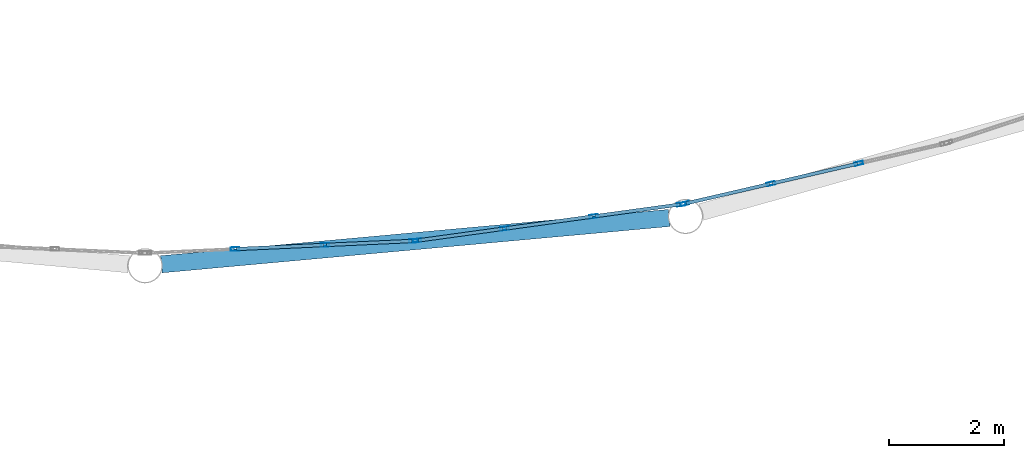
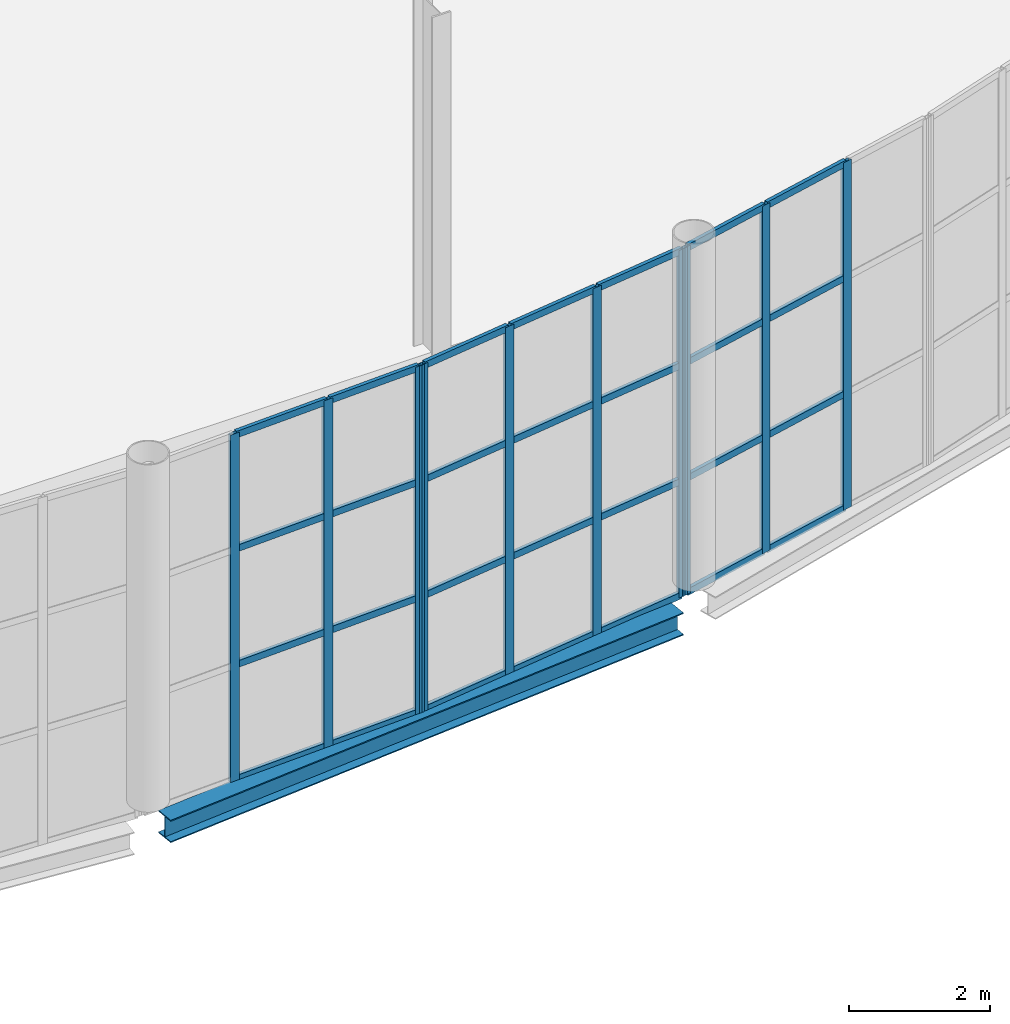
# One storey, part 43 of 191: 38 members, 1 beam, 3 elements without a shape of their own.
"""IFC4 building model written with IfcOpenShell, lengths in metres."""

from ifc_helpers import new_model, si_unit, direction, frame, origin, origin_2d, place, context, subcontext, project, spatial, hollow_rectangle, i_section, extrude, material, layer, layer_set, material_profile, profile_set, type_object, element, aggregate, save


model = new_model("IFC4")

# Units and contexts
model_context = context("Model", 3, precision=1e-05, world=origin(), true_north=direction((0.0, 1.0)))
body_context = subcontext(model_context, "Body", "Model", "MODEL_VIEW")
ifc_project = project(units=[si_unit("LENGTHUNIT", "METRE"), si_unit("AREAUNIT", "SQUARE_METRE"), si_unit("VOLUMEUNIT", "CUBIC_METRE"), si_unit("PLANEANGLEUNIT", "RADIAN"), si_unit("MASSUNIT", "GRAM", prefix="KILO")], contexts=[model_context])

# Site, building, storey
site_placement = place(None, origin())
site = spatial("IfcSite", under=ifc_project, at=site_placement, CompositionType="ELEMENT")
building_placement = place(site_placement, origin())
building = spatial("IfcBuilding", under=site, at=building_placement, Name="Tamarisk Ironworks Central Station", CompositionType="ELEMENT")
storey_placement = place(building_placement, frame((0.0, 0.0, 6.60009765625)))
storey = spatial("IfcBuildingStorey", under=building, at=storey_placement, Name="L01", CompositionType="ELEMENT", Elevation=6.60009765625)

# Beam
ifc_material_1 = material(Name="Structural steel S355J2", Category="steel")
ifc_material_profile_1 = material_profile(ifc_material_1, i_section(OverallWidth=0.300048828125, OverallDepth=0.389892578125, WebThickness=0.010986328125, FlangeThickness=0.01904296875, at=origin_2d()), Name="HEA 400")
ifc_profile_set_1 = profile_set([ifc_material_profile_1], Name="Structural steel S355J2")
beam_type = type_object("IfcBeamType", Name="BM-G07", PredefinedType="BEAM", material=ifc_profile_set_1)
beam_placement = place(storey_placement, frame((81.28369140625, 3.266845703125, -0.5751953125), z_axis=(0.995863406654, 0.090862947823, 0.0), x_axis=(-0.090862947823, 0.995863406654, 0.0)))
element("IfcBeam", 1, at=beam_placement, inside=storey, type_object=beam_type, Name="SN rounded nose L01 chord girder 007", PredefinedType="BEAM", context=body_context, shape_type="SweptSolid", body=[
    extrude(i_section(OverallWidth=0.300048828125, OverallDepth=0.389892578125, WebThickness=0.010986328125, FlangeThickness=0.01904296875, at=origin_2d()), origin(), (0.0, 0.0, 1.0), 8.880126953125),
])

# Curtain wall, members
ifc_material_2 = material(Name="Anodized aluminium alloy 6063-T6", Category="aluminium")
ifc_layer = layer(ifc_material_2, 0.179931640625)
ifc_layer_set = layer_set([ifc_layer], Name="Anodized aluminium alloy 6063-T6")
curtain_wall_type = type_object("IfcCurtainWallType", Name="CW-02", PredefinedType="USERDEFINED", material=ifc_layer_set)
curtain_wall_1_placement = place(storey_placement, origin())
curtain_wall_1 = element("IfcCurtainWall", 2, at=curtain_wall_1_placement, inside=storey, type_object=curtain_wall_type, Name="SN rounded entrance hall L01 curtain wall bay 07", ObjectType="GLAZED CURTAIN WALL", PredefinedType="USERDEFINED")
ifc_material_profile_2 = material_profile(ifc_material_2, hollow_rectangle(XDim=0.06005859375, YDim=0.14990234375, WallThickness=0.00341796875, at=origin_2d()), Name="ALUM 150x60")
ifc_profile_set_2 = profile_set([ifc_material_profile_2], Name="Anodized aluminium alloy 6063-T6")
member_type_1 = type_object("IfcMemberType", Name="CWM-03", PredefinedType="MULLION", material=ifc_profile_set_2)
member_1_placement = place(storey_placement, frame((82.568359375, 3.532470703125, -0.385009765625), z_axis=(0.0, 0.0, 1.0), x_axis=(-0.045480859558, 0.998965210312, 0.0)))
member_1 = element("IfcMember", 3, at=member_1_placement, type_object=member_type_1, Name="CW02 mullion 2", PredefinedType="MULLION", context=body_context, shape_type="SweptSolid", body=[
    extrude(hollow_rectangle(XDim=0.06005859375, YDim=0.14990234375, WallThickness=0.00341796875, at=origin_2d()), origin(), (0.0, 0.0, 1.0), 6.0048828125),
])
member_2_placement = place(storey_placement, frame((84.136474609375, 3.603759765625, -0.385009765625), z_axis=(0.0, 0.0, 1.0), x_axis=(-0.045480859558, 0.998965210312, 0.0)))
member_2 = element("IfcMember", 4, at=member_2_placement, type_object=member_type_1, Name="CW02 mullion 3", PredefinedType="MULLION", context=body_context, shape_type="SweptSolid", body=[
    extrude(hollow_rectangle(XDim=0.06005859375, YDim=0.14990234375, WallThickness=0.00341796875, at=origin_2d()), origin(), (0.0, 0.0, 1.0), 6.0048828125),
])
member_3_placement = place(storey_placement, frame((85.6748046875, 3.673828125, -0.385009765625), z_axis=(0.0, 0.0, 1.0), x_axis=(-0.045480859558, 0.998965210312, 0.0)))
member_3 = element("IfcMember", 5, at=member_3_placement, type_object=member_type_1, Name="CW02 mullion 4", PredefinedType="MULLION", context=body_context, shape_type="SweptSolid", body=[
    extrude(hollow_rectangle(XDim=0.06005859375, YDim=0.14990234375, WallThickness=0.00341796875, at=origin_2d()), origin(), (0.0, 0.0, 1.0), 6.0048828125),
])

curtain_wall_2_placement = place(storey_placement, origin())
curtain_wall_2 = element("IfcCurtainWall", 6, at=curtain_wall_2_placement, inside=storey, type_object=curtain_wall_type, Name="SN rounded entrance hall L01 curtain wall bay 08", ObjectType="GLAZED CURTAIN WALL", PredefinedType="USERDEFINED")
member_4_placement = place(storey_placement, frame((85.734619140625, 3.67919921875, -0.385009765625), z_axis=(0.0, 0.0, 1.0), x_axis=(-0.136041725218, 0.990703108403, 0.0)))
member_4 = element("IfcMember", 7, at=member_4_placement, type_object=member_type_1, Name="CW02 mullion 1", PredefinedType="MULLION", context=body_context, shape_type="SweptSolid", body=[
    extrude(hollow_rectangle(XDim=0.06005859375, YDim=0.14990234375, WallThickness=0.00341796875, at=origin_2d()), origin(), (0.0, 0.0, 1.0), 6.0048828125),
])
member_5_placement = place(storey_placement, frame((87.260009765625, 3.888671875, -0.385009765625), z_axis=(0.0, 0.0, 1.0), x_axis=(-0.136041725218, 0.990703108403, 0.0)))
member_5 = element("IfcMember", 8, at=member_5_placement, type_object=member_type_1, Name="CW02 mullion 2", PredefinedType="MULLION", context=body_context, shape_type="SweptSolid", body=[
    extrude(hollow_rectangle(XDim=0.06005859375, YDim=0.14990234375, WallThickness=0.00341796875, at=origin_2d()), origin(), (0.0, 0.0, 1.0), 6.0048828125),
])
member_6_placement = place(storey_placement, frame((88.8154296875, 4.102294921875, -0.385009765625), z_axis=(0.0, 0.0, 1.0), x_axis=(-0.136041725218, 0.990703108403, 0.0)))
member_6 = element("IfcMember", 9, at=member_6_placement, type_object=member_type_1, Name="CW02 mullion 3", PredefinedType="MULLION", context=body_context, shape_type="SweptSolid", body=[
    extrude(hollow_rectangle(XDim=0.06005859375, YDim=0.14990234375, WallThickness=0.00341796875, at=origin_2d()), origin(), (0.0, 0.0, 1.0), 6.0048828125),
])
member_7_placement = place(storey_placement, frame((90.3408203125, 4.311767578125, -0.385009765625), z_axis=(0.0, 0.0, 1.0), x_axis=(-0.136041725218, 0.990703108403, 0.0)))
member_7 = element("IfcMember", 10, at=member_7_placement, type_object=member_type_1, Name="CW02 mullion 4", PredefinedType="MULLION", context=body_context, shape_type="SweptSolid", body=[
    extrude(hollow_rectangle(XDim=0.06005859375, YDim=0.14990234375, WallThickness=0.00341796875, at=origin_2d()), origin(), (0.0, 0.0, 1.0), 6.0048828125),
])

curtain_wall_3_placement = place(storey_placement, origin())
curtain_wall_3 = element("IfcCurtainWall", 11, at=curtain_wall_3_placement, inside=storey, type_object=curtain_wall_type, Name="SN rounded entrance hall L01 curtain wall bay 09", ObjectType="GLAZED CURTAIN WALL", PredefinedType="USERDEFINED")
member_8_placement = place(storey_placement, frame((90.39990234375, 4.32275390625, -0.385009765625), z_axis=(0.0, 0.0, 1.0), x_axis=(-0.225516966506, 0.974239240545, 0.0)))
member_8 = element("IfcMember", 12, at=member_8_placement, type_object=member_type_1, Name="CW02 mullion 1", PredefinedType="MULLION", context=body_context, shape_type="SweptSolid", body=[
    extrude(hollow_rectangle(XDim=0.06005859375, YDim=0.14990234375, WallThickness=0.00341796875, at=origin_2d()), origin(), (0.0, 0.0, 1.0), 6.0048828125),
])
member_9_placement = place(storey_placement, frame((91.900146484375, 4.669921875, -0.385009765625), z_axis=(0.0, 0.0, 1.0), x_axis=(-0.225516966506, 0.974239240545, 0.0)))
member_9 = element("IfcMember", 13, at=member_9_placement, type_object=member_type_1, Name="CW02 mullion 2", PredefinedType="MULLION", context=body_context, shape_type="SweptSolid", body=[
    extrude(hollow_rectangle(XDim=0.06005859375, YDim=0.14990234375, WallThickness=0.00341796875, at=origin_2d()), origin(), (0.0, 0.0, 1.0), 6.0048828125),
])
member_10_placement = place(storey_placement, frame((93.429443359375, 5.02392578125, -0.385009765625), z_axis=(0.0, 0.0, 1.0), x_axis=(-0.225516966506, 0.974239240545, 0.0)))
member_10 = element("IfcMember", 14, at=member_10_placement, type_object=member_type_1, Name="CW02 mullion 3", PredefinedType="MULLION", context=body_context, shape_type="SweptSolid", body=[
    extrude(hollow_rectangle(XDim=0.06005859375, YDim=0.14990234375, WallThickness=0.00341796875, at=origin_2d()), origin(), (0.0, 0.0, 1.0), 6.0048828125),
])

# Member
ifc_material_profile_3 = material_profile(ifc_material_2, hollow_rectangle(XDim=0.06005859375, YDim=0.114990234375, WallThickness=0.00341796875, at=origin_2d()), Name="ALUM 115x60")
ifc_profile_set_3 = profile_set([ifc_material_profile_3], Name="Anodized aluminium alloy 6063-T6")
member_type_2 = type_object("IfcMemberType", Name="CWT-03", PredefinedType="USERDEFINED", material=ifc_profile_set_3)
member_11_placement = place(storey_placement, frame((82.59423828125, 3.53369140625, -0.35498046875), z_axis=(0.998970860292, 0.04535659034, 0.0), x_axis=(-0.04535659034, 0.998970860292, 0.0)))
member_11 = element("IfcMember", 15, at=member_11_placement, type_object=member_type_2, Name="CW02 transom 2.1", ObjectType="TRANSOM", PredefinedType="USERDEFINED", context=body_context, shape_type="SweptSolid", body=[
    extrude(hollow_rectangle(XDim=0.06005859375, YDim=0.114990234375, WallThickness=0.00341796875, at=origin_2d()), origin(), (0.0, 0.0, 1.0), 1.517822265625),
])

member_12_placement = place(storey_placement, frame((82.59423828125, 3.53369140625, 1.61669921875), z_axis=(0.998970860292, 0.04535659034, 0.0), x_axis=(-0.04535659034, 0.998970860292, 0.0)))
member_12 = element("IfcMember", 16, at=member_12_placement, type_object=member_type_2, Name="CW02 transom 2.2", ObjectType="TRANSOM", PredefinedType="USERDEFINED", context=body_context, shape_type="SweptSolid", body=[
    extrude(hollow_rectangle(XDim=0.06005859375, YDim=0.114990234375, WallThickness=0.00341796875, at=origin_2d()), origin(), (0.0, 0.0, 1.0), 1.517822265625),
])

member_13_placement = place(storey_placement, frame((82.59423828125, 3.53369140625, 3.6181640625), z_axis=(0.998970860292, 0.04535659034, 0.0), x_axis=(-0.04535659034, 0.998970860292, 0.0)))
member_13 = element("IfcMember", 17, at=member_13_placement, type_object=member_type_2, Name="CW02 transom 2.3", ObjectType="TRANSOM", PredefinedType="USERDEFINED", context=body_context, shape_type="SweptSolid", body=[
    extrude(hollow_rectangle(XDim=0.06005859375, YDim=0.114990234375, WallThickness=0.00341796875, at=origin_2d()), origin(), (0.0, 0.0, 1.0), 1.517822265625),
])

member_14_placement = place(storey_placement, frame((82.59423828125, 3.53369140625, 5.58984375), z_axis=(0.998970860292, 0.04535659034, 0.0), x_axis=(-0.04535659034, 0.998970860292, 0.0)))
member_14 = element("IfcMember", 18, at=member_14_placement, type_object=member_type_2, Name="CW02 transom 2.4", ObjectType="TRANSOM", PredefinedType="USERDEFINED", context=body_context, shape_type="SweptSolid", body=[
    extrude(hollow_rectangle(XDim=0.06005859375, YDim=0.114990234375, WallThickness=0.00341796875, at=origin_2d()), origin(), (0.0, 0.0, 1.0), 1.517822265625),
])

member_15_placement = place(storey_placement, frame((84.16259765625, 3.60498046875, -0.35498046875), z_axis=(0.99896650926, 0.04545231982, 0.0), x_axis=(-0.04545231982, 0.99896650926, 0.0)))
member_15 = element("IfcMember", 19, at=member_15_placement, type_object=member_type_2, Name="CW02 transom 3.1", ObjectType="TRANSOM", PredefinedType="USERDEFINED", context=body_context, shape_type="SweptSolid", body=[
    extrude(hollow_rectangle(XDim=0.06005859375, YDim=0.114990234375, WallThickness=0.00341796875, at=origin_2d()), origin(), (0.0, 0.0, 1.0), 1.48779296875),
])

member_16_placement = place(storey_placement, frame((84.16259765625, 3.60498046875, 1.61669921875), z_axis=(0.99896650926, 0.04545231982, 0.0), x_axis=(-0.04545231982, 0.99896650926, 0.0)))
member_16 = element("IfcMember", 20, at=member_16_placement, type_object=member_type_2, Name="CW02 transom 3.2", ObjectType="TRANSOM", PredefinedType="USERDEFINED", context=body_context, shape_type="SweptSolid", body=[
    extrude(hollow_rectangle(XDim=0.06005859375, YDim=0.114990234375, WallThickness=0.00341796875, at=origin_2d()), origin(), (0.0, 0.0, 1.0), 1.48779296875),
])

member_17_placement = place(storey_placement, frame((84.16259765625, 3.60498046875, 3.6181640625), z_axis=(0.99896650926, 0.04545231982, 0.0), x_axis=(-0.04545231982, 0.99896650926, 0.0)))
member_17 = element("IfcMember", 21, at=member_17_placement, type_object=member_type_2, Name="CW02 transom 3.3", ObjectType="TRANSOM", PredefinedType="USERDEFINED", context=body_context, shape_type="SweptSolid", body=[
    extrude(hollow_rectangle(XDim=0.06005859375, YDim=0.114990234375, WallThickness=0.00341796875, at=origin_2d()), origin(), (0.0, 0.0, 1.0), 1.48779296875),
])

member_18_placement = place(storey_placement, frame((84.16259765625, 3.60498046875, 5.58984375), z_axis=(0.99896650926, 0.04545231982, 0.0), x_axis=(-0.04545231982, 0.99896650926, 0.0)))
member_18 = element("IfcMember", 22, at=member_18_placement, type_object=member_type_2, Name="CW02 transom 3.4", ObjectType="TRANSOM", PredefinedType="USERDEFINED", context=body_context, shape_type="SweptSolid", body=[
    extrude(hollow_rectangle(XDim=0.06005859375, YDim=0.114990234375, WallThickness=0.00341796875, at=origin_2d()), origin(), (0.0, 0.0, 1.0), 1.48779296875),
])

aggregate(curtain_wall_1, [member_1, member_2, member_3, member_11, member_12, member_13, member_14, member_15, member_16, member_17, member_18])

member_19_placement = place(storey_placement, frame((85.76025390625, 3.682861328125, -0.35498046875), z_axis=(0.99070594436, 0.136021071195, 0.0), x_axis=(-0.136021071195, 0.99070594436, 0.0)))
member_19 = element("IfcMember", 23, at=member_19_placement, type_object=member_type_2, Name="CW02 transom 1.1", ObjectType="TRANSOM", PredefinedType="USERDEFINED", context=body_context, shape_type="SweptSolid", body=[
    extrude(hollow_rectangle(XDim=0.06005859375, YDim=0.114990234375, WallThickness=0.00341796875, at=origin_2d()), origin(), (0.0, 0.0, 1.0), 1.488037109375),
])

member_20_placement = place(storey_placement, frame((85.76025390625, 3.682861328125, 1.61669921875), z_axis=(0.99070594436, 0.136021071195, 0.0), x_axis=(-0.136021071195, 0.99070594436, 0.0)))
member_20 = element("IfcMember", 24, at=member_20_placement, type_object=member_type_2, Name="CW02 transom 1.2", ObjectType="TRANSOM", PredefinedType="USERDEFINED", context=body_context, shape_type="SweptSolid", body=[
    extrude(hollow_rectangle(XDim=0.06005859375, YDim=0.114990234375, WallThickness=0.00341796875, at=origin_2d()), origin(), (0.0, 0.0, 1.0), 1.488037109375),
])

member_21_placement = place(storey_placement, frame((85.76025390625, 3.682861328125, 3.6181640625), z_axis=(0.99070594436, 0.136021071195, 0.0), x_axis=(-0.136021071195, 0.99070594436, 0.0)))
member_21 = element("IfcMember", 25, at=member_21_placement, type_object=member_type_2, Name="CW02 transom 1.3", ObjectType="TRANSOM", PredefinedType="USERDEFINED", context=body_context, shape_type="SweptSolid", body=[
    extrude(hollow_rectangle(XDim=0.06005859375, YDim=0.114990234375, WallThickness=0.00341796875, at=origin_2d()), origin(), (0.0, 0.0, 1.0), 1.488037109375),
])

member_22_placement = place(storey_placement, frame((85.76025390625, 3.682861328125, 5.58984375), z_axis=(0.99070594436, 0.136021071195, 0.0), x_axis=(-0.136021071195, 0.99070594436, 0.0)))
member_22 = element("IfcMember", 26, at=member_22_placement, type_object=member_type_2, Name="CW02 transom 1.4", ObjectType="TRANSOM", PredefinedType="USERDEFINED", context=body_context, shape_type="SweptSolid", body=[
    extrude(hollow_rectangle(XDim=0.06005859375, YDim=0.114990234375, WallThickness=0.00341796875, at=origin_2d()), origin(), (0.0, 0.0, 1.0), 1.488037109375),
])

member_23_placement = place(storey_placement, frame((87.285888671875, 3.892333984375, -0.35498046875), z_axis=(0.990697552756, 0.136082177242, 0.0), x_axis=(-0.136082177242, 0.990697552756, 0.0)))
member_23 = element("IfcMember", 27, at=member_23_placement, type_object=member_type_2, Name="CW02 transom 2.1", ObjectType="TRANSOM", PredefinedType="USERDEFINED", context=body_context, shape_type="SweptSolid", body=[
    extrude(hollow_rectangle(XDim=0.06005859375, YDim=0.114990234375, WallThickness=0.00341796875, at=origin_2d()), origin(), (0.0, 0.0, 1.0), 1.517822265625),
])

member_24_placement = place(storey_placement, frame((87.285888671875, 3.892333984375, 1.61669921875), z_axis=(0.990697552756, 0.136082177242, 0.0), x_axis=(-0.136082177242, 0.990697552756, 0.0)))
member_24 = element("IfcMember", 28, at=member_24_placement, type_object=member_type_2, Name="CW02 transom 2.2", ObjectType="TRANSOM", PredefinedType="USERDEFINED", context=body_context, shape_type="SweptSolid", body=[
    extrude(hollow_rectangle(XDim=0.06005859375, YDim=0.114990234375, WallThickness=0.00341796875, at=origin_2d()), origin(), (0.0, 0.0, 1.0), 1.517822265625),
])

member_25_placement = place(storey_placement, frame((87.285888671875, 3.892333984375, 3.6181640625), z_axis=(0.990697552756, 0.136082177242, 0.0), x_axis=(-0.136082177242, 0.990697552756, 0.0)))
member_25 = element("IfcMember", 29, at=member_25_placement, type_object=member_type_2, Name="CW02 transom 2.3", ObjectType="TRANSOM", PredefinedType="USERDEFINED", context=body_context, shape_type="SweptSolid", body=[
    extrude(hollow_rectangle(XDim=0.06005859375, YDim=0.114990234375, WallThickness=0.00341796875, at=origin_2d()), origin(), (0.0, 0.0, 1.0), 1.517822265625),
])

member_26_placement = place(storey_placement, frame((87.285888671875, 3.892333984375, 5.58984375), z_axis=(0.990697552756, 0.136082177242, 0.0), x_axis=(-0.136082177242, 0.990697552756, 0.0)))
member_26 = element("IfcMember", 30, at=member_26_placement, type_object=member_type_2, Name="CW02 transom 2.4", ObjectType="TRANSOM", PredefinedType="USERDEFINED", context=body_context, shape_type="SweptSolid", body=[
    extrude(hollow_rectangle(XDim=0.06005859375, YDim=0.114990234375, WallThickness=0.00341796875, at=origin_2d()), origin(), (0.0, 0.0, 1.0), 1.517822265625),
])

member_27_placement = place(storey_placement, frame((88.841064453125, 4.10595703125, -0.35498046875), z_axis=(0.99070594436, 0.136021071195, 0.0), x_axis=(-0.136021071195, 0.99070594436, 0.0)))
member_27 = element("IfcMember", 31, at=member_27_placement, type_object=member_type_2, Name="CW02 transom 3.1", ObjectType="TRANSOM", PredefinedType="USERDEFINED", context=body_context, shape_type="SweptSolid", body=[
    extrude(hollow_rectangle(XDim=0.06005859375, YDim=0.114990234375, WallThickness=0.00341796875, at=origin_2d()), origin(), (0.0, 0.0, 1.0), 1.488037109375),
])

member_28_placement = place(storey_placement, frame((88.841064453125, 4.10595703125, 1.61669921875), z_axis=(0.99070594436, 0.136021071195, 0.0), x_axis=(-0.136021071195, 0.99070594436, 0.0)))
member_28 = element("IfcMember", 32, at=member_28_placement, type_object=member_type_2, Name="CW02 transom 3.2", ObjectType="TRANSOM", PredefinedType="USERDEFINED", context=body_context, shape_type="SweptSolid", body=[
    extrude(hollow_rectangle(XDim=0.06005859375, YDim=0.114990234375, WallThickness=0.00341796875, at=origin_2d()), origin(), (0.0, 0.0, 1.0), 1.488037109375),
])

member_29_placement = place(storey_placement, frame((88.841064453125, 4.10595703125, 3.6181640625), z_axis=(0.99070594436, 0.136021071195, 0.0), x_axis=(-0.136021071195, 0.99070594436, 0.0)))
member_29 = element("IfcMember", 33, at=member_29_placement, type_object=member_type_2, Name="CW02 transom 3.3", ObjectType="TRANSOM", PredefinedType="USERDEFINED", context=body_context, shape_type="SweptSolid", body=[
    extrude(hollow_rectangle(XDim=0.06005859375, YDim=0.114990234375, WallThickness=0.00341796875, at=origin_2d()), origin(), (0.0, 0.0, 1.0), 1.488037109375),
])

member_30_placement = place(storey_placement, frame((88.841064453125, 4.10595703125, 5.58984375), z_axis=(0.99070594436, 0.136021071195, 0.0), x_axis=(-0.136021071195, 0.99070594436, 0.0)))
member_30 = element("IfcMember", 34, at=member_30_placement, type_object=member_type_2, Name="CW02 transom 3.4", ObjectType="TRANSOM", PredefinedType="USERDEFINED", context=body_context, shape_type="SweptSolid", body=[
    extrude(hollow_rectangle(XDim=0.06005859375, YDim=0.114990234375, WallThickness=0.00341796875, at=origin_2d()), origin(), (0.0, 0.0, 1.0), 1.488037109375),
])

aggregate(curtain_wall_2, [member_4, member_5, member_6, member_7, member_19, member_20, member_21, member_22, member_23, member_24, member_25, member_26, member_27, member_28, member_29, member_30])

member_31_placement = place(storey_placement, frame((90.425048828125, 4.32861328125, -0.35498046875), z_axis=(0.9742582937, 0.225434640543, 0.0), x_axis=(-0.225434640543, 0.9742582937, 0.0)))
member_31 = element("IfcMember", 35, at=member_31_placement, type_object=member_type_2, Name="CW02 transom 1.1", ObjectType="TRANSOM", PredefinedType="USERDEFINED", context=body_context, shape_type="SweptSolid", body=[
    extrude(hollow_rectangle(XDim=0.06005859375, YDim=0.114990234375, WallThickness=0.00341796875, at=origin_2d()), origin(), (0.0, 0.0, 1.0), 1.488037109375),
])

member_32_placement = place(storey_placement, frame((90.425048828125, 4.32861328125, 1.61669921875), z_axis=(0.9742582937, 0.225434640543, 0.0), x_axis=(-0.225434640543, 0.9742582937, 0.0)))
member_32 = element("IfcMember", 36, at=member_32_placement, type_object=member_type_2, Name="CW02 transom 1.2", ObjectType="TRANSOM", PredefinedType="USERDEFINED", context=body_context, shape_type="SweptSolid", body=[
    extrude(hollow_rectangle(XDim=0.06005859375, YDim=0.114990234375, WallThickness=0.00341796875, at=origin_2d()), origin(), (0.0, 0.0, 1.0), 1.488037109375),
])

member_33_placement = place(storey_placement, frame((90.425048828125, 4.32861328125, 3.6181640625), z_axis=(0.9742582937, 0.225434640543, 0.0), x_axis=(-0.225434640543, 0.9742582937, 0.0)))
member_33 = element("IfcMember", 37, at=member_33_placement, type_object=member_type_2, Name="CW02 transom 1.3", ObjectType="TRANSOM", PredefinedType="USERDEFINED", context=body_context, shape_type="SweptSolid", body=[
    extrude(hollow_rectangle(XDim=0.06005859375, YDim=0.114990234375, WallThickness=0.00341796875, at=origin_2d()), origin(), (0.0, 0.0, 1.0), 1.488037109375),
])

member_34_placement = place(storey_placement, frame((90.425048828125, 4.32861328125, 5.58984375), z_axis=(0.9742582937, 0.225434640543, 0.0), x_axis=(-0.225434640543, 0.9742582937, 0.0)))
member_34 = element("IfcMember", 38, at=member_34_placement, type_object=member_type_2, Name="CW02 transom 1.4", ObjectType="TRANSOM", PredefinedType="USERDEFINED", context=body_context, shape_type="SweptSolid", body=[
    extrude(hollow_rectangle(XDim=0.06005859375, YDim=0.114990234375, WallThickness=0.00341796875, at=origin_2d()), origin(), (0.0, 0.0, 1.0), 1.488037109375),
])

member_35_placement = place(storey_placement, frame((91.92529296875, 4.67578125, -0.35498046875), z_axis=(0.974241883029, 0.225505550604, 0.0), x_axis=(-0.225505550604, 0.974241883029, 0.0)))
member_35 = element("IfcMember", 39, at=member_35_placement, type_object=member_type_2, Name="CW02 transom 2.1", ObjectType="TRANSOM", PredefinedType="USERDEFINED", context=body_context, shape_type="SweptSolid", body=[
    extrude(hollow_rectangle(XDim=0.06005859375, YDim=0.114990234375, WallThickness=0.00341796875, at=origin_2d()), origin(), (0.0, 0.0, 1.0), 1.517822265625),
])

member_36_placement = place(storey_placement, frame((91.92529296875, 4.67578125, 1.61669921875), z_axis=(0.974241883029, 0.225505550604, 0.0), x_axis=(-0.225505550604, 0.974241883029, 0.0)))
member_36 = element("IfcMember", 40, at=member_36_placement, type_object=member_type_2, Name="CW02 transom 2.2", ObjectType="TRANSOM", PredefinedType="USERDEFINED", context=body_context, shape_type="SweptSolid", body=[
    extrude(hollow_rectangle(XDim=0.06005859375, YDim=0.114990234375, WallThickness=0.00341796875, at=origin_2d()), origin(), (0.0, 0.0, 1.0), 1.517822265625),
])

member_37_placement = place(storey_placement, frame((91.92529296875, 4.67578125, 3.6181640625), z_axis=(0.974241883029, 0.225505550604, 0.0), x_axis=(-0.225505550604, 0.974241883029, 0.0)))
member_37 = element("IfcMember", 41, at=member_37_placement, type_object=member_type_2, Name="CW02 transom 2.3", ObjectType="TRANSOM", PredefinedType="USERDEFINED", context=body_context, shape_type="SweptSolid", body=[
    extrude(hollow_rectangle(XDim=0.06005859375, YDim=0.114990234375, WallThickness=0.00341796875, at=origin_2d()), origin(), (0.0, 0.0, 1.0), 1.517822265625),
])

member_38_placement = place(storey_placement, frame((91.92529296875, 4.67578125, 5.58984375), z_axis=(0.974241883029, 0.225505550604, 0.0), x_axis=(-0.225505550604, 0.974241883029, 0.0)))
member_38 = element("IfcMember", 42, at=member_38_placement, type_object=member_type_2, Name="CW02 transom 2.4", ObjectType="TRANSOM", PredefinedType="USERDEFINED", context=body_context, shape_type="SweptSolid", body=[
    extrude(hollow_rectangle(XDim=0.06005859375, YDim=0.114990234375, WallThickness=0.00341796875, at=origin_2d()), origin(), (0.0, 0.0, 1.0), 1.517822265625),
])

aggregate(curtain_wall_3, [member_8, member_9, member_10, member_31, member_32, member_33, member_34, member_35, member_36, member_37, member_38])

save(model, "model.ifc")
